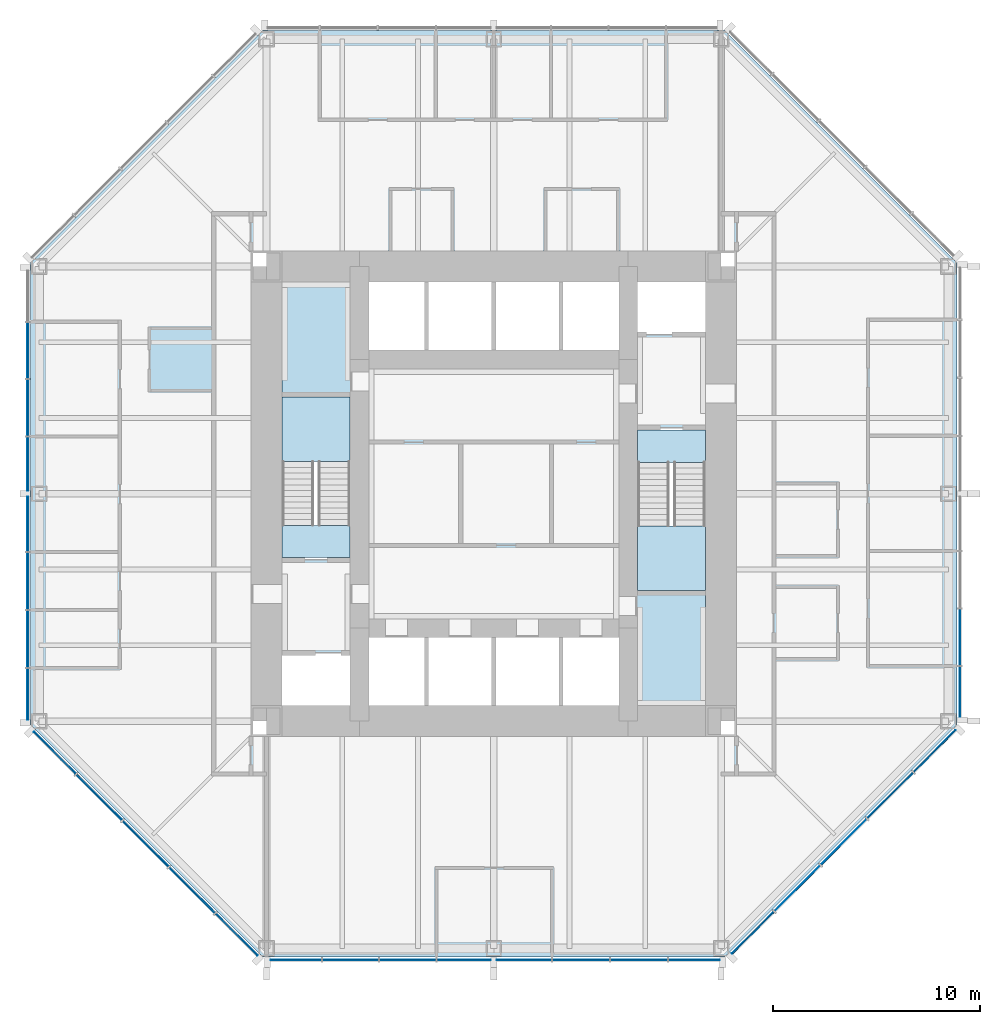
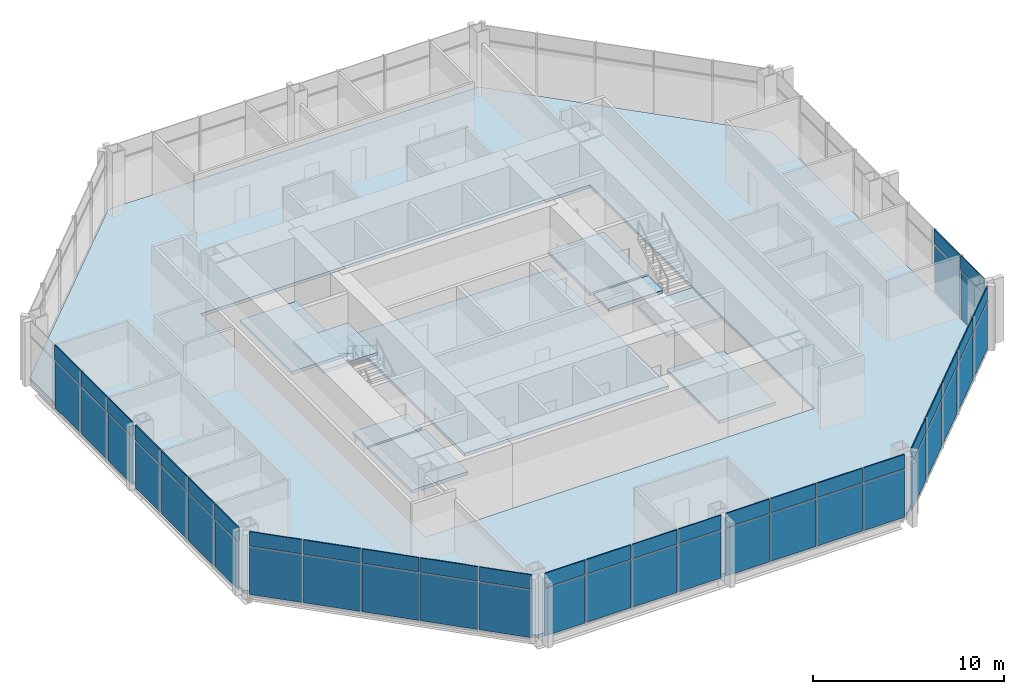
# One storey, part 7 of 12: 54 plates, 10 slabs, 7 elements without a shape of their own.
"""IFC4 building model written with IfcOpenShell, lengths in metres."""

import ifcopenshell
import ifcopenshell.guid

model = None  # the IFC model being written
_history = None  # IfcOwnerHistory: only IFC2X3 demands one
_inside = {}  # id of a spatial element -> (the spatial element, [elements in it])
_under = {}  # id of a project, library or spatial element -> (it, [spatial elements below it])
_declared = {}  # id of a project -> (the project, [libraries it declares])
_typed = {}  # id of a type object -> (the type object, [elements of that type])
_made_of = {}  # id of a material, layer set ... -> (it, [elements and type objects made of it])


def new_model(schema):
    """Start an empty IFC model of exactly this schema.

    Asked for "IFC4X3", IfcOpenShell would pick the latest addendum, in which some entities
    have other attributes; the version numbers below select the first issue.
    IFC2X3 requires an IfcOwnerHistory on every rooted entity: one is made here for all.
    """
    global model, _history
    if schema == "IFC4X3":
        model = ifcopenshell.file(schema_version=(4, 3, 0, 0))
    else:
        model = ifcopenshell.file(schema=schema)
    _inside.clear()
    _under.clear()
    _declared.clear()
    _typed.clear()
    _made_of.clear()
    _history = None
    if model.schema == "IFC2X3":
        org = make("IfcOrganization", Name="unknown")
        user = make(
            "IfcPersonAndOrganization",
            ThePerson=make("IfcPerson", FamilyName="unknown"),
            TheOrganization=org,
        )
        app = make(
            "IfcApplication",
            ApplicationDeveloper=org,
            Version="unknown",
            ApplicationFullName="unknown",
            ApplicationIdentifier="unknown",
        )
        _history = make(
            "IfcOwnerHistory",
            OwningUser=user,
            OwningApplication=app,
            ChangeAction="ADDED",
            CreationDate=0,
        )
    return model


def make(cls, **values):
    """One entity of the class cls with the attributes given. An attribute that is None is left unset."""
    return model.create_entity(
        cls, **{name: value for name, value in values.items() if value is not None}
    )


def rooted(cls, **values):
    """An entity with a GlobalId (a new one), such as an element, a storey or a relation."""
    return make(cls, GlobalId=ifcopenshell.guid.new(), OwnerHistory=_history, **values)


def si_unit(unit_type, name, prefix=None):
    """IfcSIUnit, for example si_unit("LENGTHUNIT", "METRE", prefix="MILLI")."""
    return make("IfcSIUnit", UnitType=unit_type, Prefix=prefix, Name=name)


def assignment(units):
    """IfcUnitAssignment: the units of a project."""
    return None if units is None else make("IfcUnitAssignment", Units=units)


def point(xyz):
    """IfcCartesianPoint."""
    return None if xyz is None else make("IfcCartesianPoint", Coordinates=xyz)


def direction(xyz):
    """IfcDirection."""
    return None if xyz is None else make("IfcDirection", DirectionRatios=xyz)


def frame(location, z_axis=None, x_axis=None):
    """IfcAxis2Placement3D, a coordinate frame: its origin and axes. An axis left out is left unset."""
    return make(
        "IfcAxis2Placement3D",
        Location=point(location),
        Axis=direction(z_axis),
        RefDirection=direction(x_axis),
    )


def frame_2d(location, x_axis=None):
    """IfcAxis2Placement2D, a coordinate frame in the plane: its origin and x axis."""
    return make(
        "IfcAxis2Placement2D", Location=point(location), RefDirection=direction(x_axis)
    )


def origin():
    """The frame at (0, 0, 0) with its axes left unset."""
    return frame((0.0, 0.0, 0.0))


def origin_2d():
    """The frame at (0, 0) in the plane with its x axis left unset."""
    return frame_2d((0.0, 0.0))


def place(relative_to, where):
    """IfcLocalPlacement: puts the frame where relative to a parent placement (None: the world)."""
    return make(
        "IfcLocalPlacement", PlacementRelTo=relative_to, RelativePlacement=where
    )


def context(
    kind, dimensions, precision=None, world=None, true_north=None, identifier=None
):
    """IfcGeometricRepresentationContext, for example the 3D "Model" context."""
    return make(
        "IfcGeometricRepresentationContext",
        ContextIdentifier=identifier,
        ContextType=kind,
        CoordinateSpaceDimension=dimensions,
        Precision=precision,
        WorldCoordinateSystem=world,
        TrueNorth=true_north,
    )


def subcontext(parent, identifier, kind, view, scale=None):
    """IfcGeometricRepresentationSubContext, for example "Body" below "Model"."""
    return make(
        "IfcGeometricRepresentationSubContext",
        ContextIdentifier=identifier,
        ContextType=kind,
        ParentContext=parent,
        TargetScale=scale,
        TargetView=view,
    )


def project(units=None, contexts=None):
    """IfcProject with its units and contexts."""
    return rooted(
        "IfcProject",
        Name="project",
        RepresentationContexts=contexts,
        UnitsInContext=assignment(units),
    )


def spatial(cls, under=None, at=None, **own):
    """A site, building, storey or space (cls), placed at a placement, below another one or the project."""
    s = rooted(cls, ObjectPlacement=at, **own)
    if under is not None:
        _under.setdefault(under.id(), (under, []))[1].append(s)
    return s


def polyline(points):
    """IfcPolyline through the points."""
    return make("IfcPolyline", Points=[point(p) for p in points])


def profile(cls, at=None, kind="AREA", **sizes):
    """A parametric profile (cls). Its sizes go by their IFC names, for example OverallWidth=200.0."""
    return make(cls, ProfileType=kind, Position=at, **sizes)


def rectangle(**sizes):
    """IfcRectangleProfileDef."""
    return profile("IfcRectangleProfileDef", **sizes)


def outline(outer, holes=None, kind="AREA"):
    """IfcArbitraryClosedProfileDef: a profile drawn as a closed curve; with holes, ...WithVoids."""
    if holes is None:
        return make("IfcArbitraryClosedProfileDef", ProfileType=kind, OuterCurve=outer)
    return make(
        "IfcArbitraryProfileDefWithVoids",
        ProfileType=kind,
        OuterCurve=outer,
        InnerCurves=holes,
    )


def extrude(swept, where, along, depth):
    """IfcExtrudedAreaSolid: the profile swept, set in the frame where, extruded along a direction by depth."""
    return make(
        "IfcExtrudedAreaSolid",
        SweptArea=swept,
        Position=where,
        ExtrudedDirection=direction(along),
        Depth=depth,
    )


def shape(context_of_items, identifier, shape_type, items):
    """IfcShapeRepresentation: the items that make up one representation, for example the "Body"."""
    return make(
        "IfcShapeRepresentation",
        ContextOfItems=context_of_items,
        RepresentationIdentifier=identifier,
        RepresentationType=shape_type,
        Items=items,
    )


def material(Name=None, Category=None):
    """IfcMaterial."""
    return make("IfcMaterial", Name=Name, Category=Category)


def layer(
    of_material, thickness, ventilated=None, Name=None, Category=None, Priority=None
):
    """IfcMaterialLayer: one layer of a wall or slab, of a material (None: an air gap)."""
    return make(
        "IfcMaterialLayer",
        Material=of_material,
        LayerThickness=thickness,
        IsVentilated=ventilated,
        Name=Name,
        Category=Category,
        Priority=Priority,
    )


def layer_set(layers, Name=None):
    """IfcMaterialLayerSet."""
    return make("IfcMaterialLayerSet", MaterialLayers=layers, LayerSetName=Name)


def made_of(thing, what):
    """Note that an element or type object is made of a material, layer set ...; save() writes the relation."""
    if what is not None:
        _made_of.setdefault(what.id(), (what, []))[1].append(thing)
    return thing


def type_object(cls, material=None, **own):
    """A type object (cls), such as IfcWallType, which elements share."""
    return made_of(rooted(cls, **own), material)


def element(
    cls,
    number,
    at=None,
    inside=None,
    cuts=None,
    type_object=None,
    material=None,
    context=None,
    identifier="Body",
    shape_type=None,
    held_by="IfcProductDefinitionShape",
    body=None,
    shapes=None,
    **own,
):
    """One element of the class cls, such as IfcWall. Its Tag is "e" and its number.

    at: its placement. inside: the storey or other place that contains it. cuts: it is an
    opening in that element (IfcRelVoidsElement). A single representation is given by context,
    identifier, shape_type and body (its items); several are given by shapes. held_by: the class
    of the entity that holds the representations. save() writes the other relations.
    """
    e = rooted(cls, Tag="e%d" % number, ObjectPlacement=at, **own)
    if body is not None:
        shapes = [shape(context, identifier, shape_type, body)]
    if shapes is not None:
        e.Representation = make(held_by, Representations=shapes)
    if inside is not None:
        _inside.setdefault(inside.id(), (inside, []))[1].append(e)
    if cuts is not None:
        rooted(
            "IfcRelVoidsElement", RelatingBuildingElement=cuts, RelatedOpeningElement=e
        )
    if type_object is not None:
        _typed.setdefault(type_object.id(), (type_object, []))[1].append(e)
    return made_of(e, material)


def aggregate(whole, parts):
    """IfcRelAggregates: a whole, such as a stair, and the parts it consists of."""
    return rooted("IfcRelAggregates", RelatingObject=whole, RelatedObjects=parts)


def save(model, path):
    """Write the relations noted so far, then the file.

    IfcRelAggregates (storeys below a building ...), IfcRelContainedInSpatialStructure (elements
    in a storey), IfcRelDefinesByType, IfcRelAssociatesMaterial and IfcRelDeclares: one each for
    every whole, place, type object, material and project.
    """
    for whole, parts in _under.values():
        aggregate(whole, parts)
    for where, things in _inside.values():
        rooted(
            "IfcRelContainedInSpatialStructure",
            RelatedElements=things,
            RelatingStructure=where,
        )
    for kind, things in _typed.values():
        rooted("IfcRelDefinesByType", RelatedObjects=things, RelatingType=kind)
    for what, things in _made_of.values():
        rooted("IfcRelAssociatesMaterial", RelatedObjects=things, RelatingMaterial=what)
    for by, libraries in _declared.values():
        rooted("IfcRelDeclares", RelatingContext=by, RelatedDefinitions=libraries)
    model.write(path)


model = new_model("IFC4")

# Units and contexts
model_context = context("Model", 3, precision=1e-05, world=origin(), true_north=direction((0.0, 1.0)))
body_context = subcontext(model_context, "Body", "Model", "MODEL_VIEW")
ifc_project = project(units=[si_unit("LENGTHUNIT", "METRE"), si_unit("AREAUNIT", "SQUARE_METRE"), si_unit("VOLUMEUNIT", "CUBIC_METRE"), si_unit("PLANEANGLEUNIT", "RADIAN"), si_unit("MASSUNIT", "GRAM", prefix="KILO")], contexts=[model_context])

# Site, building, storey
site_placement = place(None, origin())
site = spatial("IfcSite", under=ifc_project, at=site_placement, CompositionType="ELEMENT")
building_placement = place(site_placement, origin())
building = spatial("IfcBuilding", under=site, at=building_placement, Name="Trevanion Tower", CompositionType="ELEMENT")
storey_placement = place(building_placement, frame((0.0, 0.0, 133.60009765625)))
storey = spatial("IfcBuildingStorey", under=building, at=storey_placement, Name="L31", CompositionType="ELEMENT", Elevation=133.60009765625)

# Curtain wall, plates
ifc_material_1 = material(Name="Aluminium and glass", Category="aluminium")
curtain_wall_type = type_object("IfcCurtainWallType", Name="CW2 curtain wall", PredefinedType="USERDEFINED", material=ifc_material_1)
curtain_wall_1_placement = place(storey_placement, origin())
curtain_wall_1 = element("IfcCurtainWall", 1, at=curtain_wall_1_placement, inside=storey, type_object=curtain_wall_type, Name="CW2 L31 0", ObjectType="UNITISED CURTAIN WALL", PredefinedType="USERDEFINED")
ifc_material_2 = material(Name="Aluminium spandrel panel", Category="aluminium")
ifc_layer_1 = layer(ifc_material_2, 0.06005859375)
ifc_layer_set_1 = layer_set([ifc_layer_1], Name="CW2 spandrel panel")
plate_type_1 = type_object("IfcPlateType", Name="CW2 spandrel panel", PredefinedType="CURTAIN_PANEL", material=ifc_layer_set_1)
plate_1_placement = place(storey_placement, frame((22.550048828125, -9.579345703125, 2.997314453125), z_axis=(0.0, 0.0, 1.0), x_axis=(0.0, 1.0, 0.0)))
plate_1 = element("IfcPlate", 2, at=plate_1_placement, type_object=plate_type_1, Name="CW2 panel 1.2", PredefinedType="CURTAIN_PANEL", context=body_context, shape_type="SweptSolid", body=[
    extrude(rectangle(XDim=2.43701171875, YDim=0.06005859375, at=origin_2d()), origin(), (0.0, 0.0, 1.0), 0.91259765625),
])
plate_2_placement = place(storey_placement, frame((22.550048828125, -6.93603515625, 2.997314453125), z_axis=(0.0, 0.0, 1.0), x_axis=(0.0, 1.0, 0.0)))
plate_2 = element("IfcPlate", 3, at=plate_2_placement, type_object=plate_type_1, Name="CW2 panel 2.2", PredefinedType="CURTAIN_PANEL", context=body_context, shape_type="SweptSolid", body=[
    extrude(rectangle(XDim=2.699462890625, YDim=0.06005859375, at=origin_2d()), origin(), (0.0, 0.0, 1.0), 0.91259765625),
])

curtain_wall_2_placement = place(storey_placement, origin())
curtain_wall_2 = element("IfcCurtainWall", 4, at=curtain_wall_2_placement, inside=storey, type_object=curtain_wall_type, Name="CW2 L31 4", ObjectType="UNITISED CURTAIN WALL", PredefinedType="USERDEFINED")
plate_3_placement = place(storey_placement, frame((-22.550048828125, 6.93603515625, 2.997314453125), z_axis=(0.0, 0.0, 1.0), x_axis=(0.0, -1.0, 0.0)))
plate_3 = element("IfcPlate", 5, at=plate_3_placement, type_object=plate_type_1, Name="CW2 panel 2.2", PredefinedType="CURTAIN_PANEL", context=body_context, shape_type="SweptSolid", body=[
    extrude(rectangle(XDim=2.699462890625, YDim=0.06005859375, at=origin_2d()), origin(), (0.0, 0.0, 1.0), 0.91259765625),
])
plate_4_placement = place(storey_placement, frame((-22.550048828125, 4.16162109375, 2.997314453125), z_axis=(0.0, 0.0, 1.0), x_axis=(0.0, -1.0, 0.0)))
plate_4 = element("IfcPlate", 6, at=plate_4_placement, type_object=plate_type_1, Name="CW2 panel 3.2", PredefinedType="CURTAIN_PANEL", context=body_context, shape_type="SweptSolid", body=[
    extrude(rectangle(XDim=2.699462890625, YDim=0.06005859375, at=origin_2d()), origin(), (0.0, 0.0, 1.0), 0.91259765625),
])
plate_5_placement = place(storey_placement, frame((-22.550048828125, 1.443603515625, 2.997314453125), z_axis=(0.0, 0.0, 1.0), x_axis=(0.0, -1.0, 0.0)))
plate_5 = element("IfcPlate", 7, at=plate_5_placement, type_object=plate_type_1, Name="CW2 panel 4.2", PredefinedType="CURTAIN_PANEL", context=body_context, shape_type="SweptSolid", body=[
    extrude(rectangle(XDim=2.5869140625, YDim=0.06005859375, at=origin_2d()), origin(), (0.0, 0.0, 1.0), 0.91259765625),
])
plate_6_placement = place(storey_placement, frame((-22.550048828125, -1.459716796875, 2.997314453125), z_axis=(0.0, 0.0, 1.0), x_axis=(0.0, -1.0, 0.0)))
plate_6 = element("IfcPlate", 8, at=plate_6_placement, type_object=plate_type_1, Name="CW2 panel 5.2", PredefinedType="CURTAIN_PANEL", context=body_context, shape_type="SweptSolid", body=[
    extrude(rectangle(XDim=2.619384765625, YDim=0.06005859375, at=origin_2d()), origin(), (0.0, 0.0, 1.0), 0.91259765625),
])
plate_7_placement = place(storey_placement, frame((-22.550048828125, -4.21044921875, 2.997314453125), z_axis=(0.0, 0.0, 1.0), x_axis=(0.0, -1.0, 0.0)))
plate_7 = element("IfcPlate", 9, at=plate_7_placement, type_object=plate_type_1, Name="CW2 panel 6.2", PredefinedType="CURTAIN_PANEL", context=body_context, shape_type="SweptSolid", body=[
    extrude(rectangle(XDim=2.73193359375, YDim=0.06005859375, at=origin_2d()), origin(), (0.0, 0.0, 1.0), 0.91259765625),
])
plate_8_placement = place(storey_placement, frame((-22.550048828125, -7.017333984375, 2.997314453125), z_axis=(0.0, 0.0, 1.0), x_axis=(0.0, -1.0, 0.0)))
plate_8 = element("IfcPlate", 10, at=plate_8_placement, type_object=plate_type_1, Name="CW2 panel 7.2", PredefinedType="CURTAIN_PANEL", context=body_context, shape_type="SweptSolid", body=[
    extrude(rectangle(XDim=2.73193359375, YDim=0.06005859375, at=origin_2d()), origin(), (0.0, 0.0, 1.0), 0.91259765625),
])
plate_9_placement = place(storey_placement, frame((-22.550048828125, -9.693115234375, 2.997314453125), z_axis=(0.0, 0.0, 1.0), x_axis=(0.0, -1.0, 0.0)))
plate_9 = element("IfcPlate", 11, at=plate_9_placement, type_object=plate_type_1, Name="CW2 panel 8.2", PredefinedType="CURTAIN_PANEL", context=body_context, shape_type="SweptSolid", body=[
    extrude(rectangle(XDim=2.469482421875, YDim=0.06005859375, at=origin_2d()), origin(), (0.0, 0.0, 1.0), 0.91259765625),
])

curtain_wall_3_placement = place(storey_placement, origin())
curtain_wall_3 = element("IfcCurtainWall", 12, at=curtain_wall_3_placement, inside=storey, type_object=curtain_wall_type, Name="CW2 L31 5", ObjectType="UNITISED CURTAIN WALL", PredefinedType="USERDEFINED")
plate_10_placement = place(storey_placement, frame((-21.2421875, -12.53564453125, 2.997314453125), z_axis=(0.0, 0.0, 1.0), x_axis=(0.707106781187, -0.707106781187, 0.0)))
plate_10 = element("IfcPlate", 13, at=plate_10_placement, type_object=plate_type_1, Name="CW2 panel 1.2", PredefinedType="CURTAIN_PANEL", context=body_context, shape_type="SweptSolid", body=[
    extrude(rectangle(XDim=2.8388671875, YDim=0.06005859375, at=origin_2d()), origin(), (0.0, 0.0, 1.0), 0.91259765625),
])
plate_11_placement = place(storey_placement, frame((-19.089111328125, -14.688720703125, 2.997314453125), z_axis=(0.0, 0.0, 1.0), x_axis=(0.707106781187, -0.707106781187, 0.0)))
plate_11 = element("IfcPlate", 14, at=plate_11_placement, type_object=plate_type_1, Name="CW2 panel 2.2", PredefinedType="CURTAIN_PANEL", context=body_context, shape_type="SweptSolid", body=[
    extrude(rectangle(XDim=3.101318359375, YDim=0.06005859375, at=origin_2d()), origin(), (0.0, 0.0, 1.0), 0.91259765625),
])
plate_12_placement = place(storey_placement, frame((-16.843017578125, -16.934814453125, 2.997314453125), z_axis=(0.0, 0.0, 1.0), x_axis=(0.707106781187, -0.707106781187, 0.0)))
plate_12 = element("IfcPlate", 15, at=plate_12_placement, type_object=plate_type_1, Name="CW2 panel 3.2", PredefinedType="CURTAIN_PANEL", context=body_context, shape_type="SweptSolid", body=[
    extrude(rectangle(XDim=3.101318359375, YDim=0.06005859375, at=origin_2d()), origin(), (0.0, 0.0, 1.0), 0.91259765625),
])
plate_13_placement = place(storey_placement, frame((-14.596923828125, -19.180908203125, 2.997314453125), z_axis=(0.0, 0.0, 1.0), x_axis=(0.707106781187, -0.707106781187, 0.0)))
plate_13 = element("IfcPlate", 16, at=plate_13_placement, type_object=plate_type_1, Name="CW2 panel 4.2", PredefinedType="CURTAIN_PANEL", context=body_context, shape_type="SweptSolid", body=[
    extrude(rectangle(XDim=3.101318359375, YDim=0.06005859375, at=origin_2d()), origin(), (0.0, 0.0, 1.0), 0.91259765625),
])
plate_14_placement = place(storey_placement, frame((-12.443603515625, -21.334228515625, 2.997314453125), z_axis=(0.0, 0.0, 1.0), x_axis=(0.707106781187, -0.707106781187, 0.0)))
plate_14 = element("IfcPlate", 17, at=plate_14_placement, type_object=plate_type_1, Name="CW2 panel 5.2", PredefinedType="CURTAIN_PANEL", context=body_context, shape_type="SweptSolid", body=[
    extrude(rectangle(XDim=2.8388671875, YDim=0.06005859375, at=origin_2d()), origin(), (0.0, 0.0, 1.0), 0.91259765625),
])

curtain_wall_4_placement = place(storey_placement, origin())
curtain_wall_4 = element("IfcCurtainWall", 18, at=curtain_wall_4_placement, inside=storey, type_object=curtain_wall_type, Name="CW2 L31 6", ObjectType="UNITISED CURTAIN WALL", PredefinedType="USERDEFINED")
plate_15_placement = place(storey_placement, frame((-9.579345703125, -22.550048828125, 2.997314453125), z_axis=(0.0, 0.0, 1.0), x_axis=(1.0, 0.0, 0.0)))
plate_15 = element("IfcPlate", 19, at=plate_15_placement, type_object=plate_type_1, Name="CW2 panel 1.2", PredefinedType="CURTAIN_PANEL", context=body_context, shape_type="SweptSolid", body=[
    extrude(rectangle(XDim=2.43701171875, YDim=0.06005859375, at=origin_2d()), origin(), (0.0, 0.0, 1.0), 0.91259765625),
])
plate_16_placement = place(storey_placement, frame((-6.93603515625, -22.550048828125, 2.997314453125), z_axis=(0.0, 0.0, 1.0), x_axis=(1.0, 0.0, 0.0)))
plate_16 = element("IfcPlate", 20, at=plate_16_placement, type_object=plate_type_1, Name="CW2 panel 2.2", PredefinedType="CURTAIN_PANEL", context=body_context, shape_type="SweptSolid", body=[
    extrude(rectangle(XDim=2.699462890625, YDim=0.06005859375, at=origin_2d()), origin(), (0.0, 0.0, 1.0), 0.91259765625),
])
plate_17_placement = place(storey_placement, frame((-4.16162109375, -22.550048828125, 2.997314453125), z_axis=(0.0, 0.0, 1.0), x_axis=(1.0, 0.0, 0.0)))
plate_17 = element("IfcPlate", 21, at=plate_17_placement, type_object=plate_type_1, Name="CW2 panel 3.2", PredefinedType="CURTAIN_PANEL", context=body_context, shape_type="SweptSolid", body=[
    extrude(rectangle(XDim=2.699462890625, YDim=0.06005859375, at=origin_2d()), origin(), (0.0, 0.0, 1.0), 0.91259765625),
])
plate_18_placement = place(storey_placement, frame((-1.443603515625, -22.550048828125, 2.997314453125), z_axis=(0.0, 0.0, 1.0), x_axis=(1.0, 0.0, 0.0)))
plate_18 = element("IfcPlate", 22, at=plate_18_placement, type_object=plate_type_1, Name="CW2 panel 4.2", PredefinedType="CURTAIN_PANEL", context=body_context, shape_type="SweptSolid", body=[
    extrude(rectangle(XDim=2.5869140625, YDim=0.06005859375, at=origin_2d()), origin(), (0.0, 0.0, 1.0), 0.91259765625),
])
plate_19_placement = place(storey_placement, frame((1.459716796875, -22.550048828125, 2.997314453125), z_axis=(0.0, 0.0, 1.0), x_axis=(1.0, 0.0, 0.0)))
plate_19 = element("IfcPlate", 23, at=plate_19_placement, type_object=plate_type_1, Name="CW2 panel 5.2", PredefinedType="CURTAIN_PANEL", context=body_context, shape_type="SweptSolid", body=[
    extrude(rectangle(XDim=2.619384765625, YDim=0.06005859375, at=origin_2d()), origin(), (0.0, 0.0, 1.0), 0.91259765625),
])
plate_20_placement = place(storey_placement, frame((4.21044921875, -22.550048828125, 2.997314453125), z_axis=(0.0, 0.0, 1.0), x_axis=(1.0, 0.0, 0.0)))
plate_20 = element("IfcPlate", 24, at=plate_20_placement, type_object=plate_type_1, Name="CW2 panel 6.2", PredefinedType="CURTAIN_PANEL", context=body_context, shape_type="SweptSolid", body=[
    extrude(rectangle(XDim=2.73193359375, YDim=0.06005859375, at=origin_2d()), origin(), (0.0, 0.0, 1.0), 0.91259765625),
])
plate_21_placement = place(storey_placement, frame((7.017333984375, -22.550048828125, 2.997314453125), z_axis=(0.0, 0.0, 1.0), x_axis=(1.0, 0.0, 0.0)))
plate_21 = element("IfcPlate", 25, at=plate_21_placement, type_object=plate_type_1, Name="CW2 panel 7.2", PredefinedType="CURTAIN_PANEL", context=body_context, shape_type="SweptSolid", body=[
    extrude(rectangle(XDim=2.73193359375, YDim=0.06005859375, at=origin_2d()), origin(), (0.0, 0.0, 1.0), 0.91259765625),
])
plate_22_placement = place(storey_placement, frame((9.693115234375, -22.550048828125, 2.997314453125), z_axis=(0.0, 0.0, 1.0), x_axis=(1.0, 0.0, 0.0)))
plate_22 = element("IfcPlate", 26, at=plate_22_placement, type_object=plate_type_1, Name="CW2 panel 8.2", PredefinedType="CURTAIN_PANEL", context=body_context, shape_type="SweptSolid", body=[
    extrude(rectangle(XDim=2.469482421875, YDim=0.06005859375, at=origin_2d()), origin(), (0.0, 0.0, 1.0), 0.91259765625),
])

curtain_wall_5_placement = place(storey_placement, origin())
curtain_wall_5 = element("IfcCurtainWall", 27, at=curtain_wall_5_placement, inside=storey, type_object=curtain_wall_type, Name="CW2 L31 7", ObjectType="UNITISED CURTAIN WALL", PredefinedType="USERDEFINED")
plate_23_placement = place(storey_placement, frame((12.53564453125, -21.2421875, 2.997314453125), z_axis=(0.0, 0.0, 1.0), x_axis=(0.707106781187, 0.707106781187, 0.0)))
plate_23 = element("IfcPlate", 28, at=plate_23_placement, type_object=plate_type_1, Name="CW2 panel 1.2", PredefinedType="CURTAIN_PANEL", context=body_context, shape_type="SweptSolid", body=[
    extrude(rectangle(XDim=2.8388671875, YDim=0.06005859375, at=origin_2d()), origin(), (0.0, 0.0, 1.0), 0.91259765625),
])
plate_24_placement = place(storey_placement, frame((14.688720703125, -19.089111328125, 2.997314453125), z_axis=(0.0, 0.0, 1.0), x_axis=(0.707106781187, 0.707106781187, 0.0)))
plate_24 = element("IfcPlate", 29, at=plate_24_placement, type_object=plate_type_1, Name="CW2 panel 2.2", PredefinedType="CURTAIN_PANEL", context=body_context, shape_type="SweptSolid", body=[
    extrude(rectangle(XDim=3.101318359375, YDim=0.06005859375, at=origin_2d()), origin(), (0.0, 0.0, 1.0), 0.91259765625),
])
plate_25_placement = place(storey_placement, frame((16.934814453125, -16.843017578125, 2.997314453125), z_axis=(0.0, 0.0, 1.0), x_axis=(0.707106781187, 0.707106781187, 0.0)))
plate_25 = element("IfcPlate", 30, at=plate_25_placement, type_object=plate_type_1, Name="CW2 panel 3.2", PredefinedType="CURTAIN_PANEL", context=body_context, shape_type="SweptSolid", body=[
    extrude(rectangle(XDim=3.101318359375, YDim=0.06005859375, at=origin_2d()), origin(), (0.0, 0.0, 1.0), 0.91259765625),
])
plate_26_placement = place(storey_placement, frame((19.180908203125, -14.596923828125, 2.997314453125), z_axis=(0.0, 0.0, 1.0), x_axis=(0.707106781187, 0.707106781187, 0.0)))
plate_26 = element("IfcPlate", 31, at=plate_26_placement, type_object=plate_type_1, Name="CW2 panel 4.2", PredefinedType="CURTAIN_PANEL", context=body_context, shape_type="SweptSolid", body=[
    extrude(rectangle(XDim=3.101318359375, YDim=0.06005859375, at=origin_2d()), origin(), (0.0, 0.0, 1.0), 0.91259765625),
])
plate_27_placement = place(storey_placement, frame((21.334228515625, -12.443603515625, 2.997314453125), z_axis=(0.0, 0.0, 1.0), x_axis=(0.707106781187, 0.707106781187, 0.0)))
plate_27 = element("IfcPlate", 32, at=plate_27_placement, type_object=plate_type_1, Name="CW2 panel 5.2", PredefinedType="CURTAIN_PANEL", context=body_context, shape_type="SweptSolid", body=[
    extrude(rectangle(XDim=2.8388671875, YDim=0.06005859375, at=origin_2d()), origin(), (0.0, 0.0, 1.0), 0.91259765625),
])

# Plate
ifc_material_3 = material(Name="Insulating glass unit", Category="glass")
ifc_layer_2 = layer(ifc_material_3, 0.028076171875)
ifc_layer_set_2 = layer_set([ifc_layer_2], Name="CW2 vision panel")
plate_type_2 = type_object("IfcPlateType", Name="CW2 vision panel", PredefinedType="CURTAIN_PANEL", material=ifc_layer_set_2)
plate_28_placement = place(storey_placement, frame((22.550048828125, -9.579345703125, -0.115234375), z_axis=(0.0, 0.0, 1.0), x_axis=(0.0, 1.0, 0.0)))
plate_28 = element("IfcPlate", 33, at=plate_28_placement, type_object=plate_type_2, Name="CW2 panel 1.1", PredefinedType="CURTAIN_PANEL", context=body_context, shape_type="SweptSolid", body=[
    extrude(rectangle(XDim=2.43701171875, YDim=0.028076171875, at=origin_2d()), origin(), (0.0, 0.0, 1.0), 3.03759765625),
])

plate_29_placement = place(storey_placement, frame((22.550048828125, -6.93603515625, -0.115234375), z_axis=(0.0, 0.0, 1.0), x_axis=(0.0, 1.0, 0.0)))
plate_29 = element("IfcPlate", 34, at=plate_29_placement, type_object=plate_type_2, Name="CW2 panel 2.1", PredefinedType="CURTAIN_PANEL", context=body_context, shape_type="SweptSolid", body=[
    extrude(rectangle(XDim=2.699462890625, YDim=0.028076171875, at=origin_2d()), origin(), (0.0, 0.0, 1.0), 3.03759765625),
])

aggregate(curtain_wall_1, [plate_28, plate_1, plate_29, plate_2])

plate_30_placement = place(storey_placement, frame((-22.550048828125, 6.93603515625, -0.115234375), z_axis=(0.0, 0.0, 1.0), x_axis=(0.0, -1.0, 0.0)))
plate_30 = element("IfcPlate", 35, at=plate_30_placement, type_object=plate_type_2, Name="CW2 panel 2.1", PredefinedType="CURTAIN_PANEL", context=body_context, shape_type="SweptSolid", body=[
    extrude(rectangle(XDim=2.699462890625, YDim=0.028076171875, at=origin_2d()), origin(), (0.0, 0.0, 1.0), 3.03759765625),
])

plate_31_placement = place(storey_placement, frame((-22.550048828125, 4.16162109375, -0.115234375), z_axis=(0.0, 0.0, 1.0), x_axis=(0.0, -1.0, 0.0)))
plate_31 = element("IfcPlate", 36, at=plate_31_placement, type_object=plate_type_2, Name="CW2 panel 3.1", PredefinedType="CURTAIN_PANEL", context=body_context, shape_type="SweptSolid", body=[
    extrude(rectangle(XDim=2.699462890625, YDim=0.028076171875, at=origin_2d()), origin(), (0.0, 0.0, 1.0), 3.03759765625),
])

plate_32_placement = place(storey_placement, frame((-22.550048828125, 1.443603515625, -0.115234375), z_axis=(0.0, 0.0, 1.0), x_axis=(0.0, -1.0, 0.0)))
plate_32 = element("IfcPlate", 37, at=plate_32_placement, type_object=plate_type_2, Name="CW2 panel 4.1", PredefinedType="CURTAIN_PANEL", context=body_context, shape_type="SweptSolid", body=[
    extrude(rectangle(XDim=2.5869140625, YDim=0.028076171875, at=origin_2d()), origin(), (0.0, 0.0, 1.0), 3.03759765625),
])

plate_33_placement = place(storey_placement, frame((-22.550048828125, -1.459716796875, -0.115234375), z_axis=(0.0, 0.0, 1.0), x_axis=(0.0, -1.0, 0.0)))
plate_33 = element("IfcPlate", 38, at=plate_33_placement, type_object=plate_type_2, Name="CW2 panel 5.1", PredefinedType="CURTAIN_PANEL", context=body_context, shape_type="SweptSolid", body=[
    extrude(rectangle(XDim=2.619384765625, YDim=0.028076171875, at=origin_2d()), origin(), (0.0, 0.0, 1.0), 3.03759765625),
])

plate_34_placement = place(storey_placement, frame((-22.550048828125, -4.21044921875, -0.115234375), z_axis=(0.0, 0.0, 1.0), x_axis=(0.0, -1.0, 0.0)))
plate_34 = element("IfcPlate", 39, at=plate_34_placement, type_object=plate_type_2, Name="CW2 panel 6.1", PredefinedType="CURTAIN_PANEL", context=body_context, shape_type="SweptSolid", body=[
    extrude(rectangle(XDim=2.73193359375, YDim=0.028076171875, at=origin_2d()), origin(), (0.0, 0.0, 1.0), 3.03759765625),
])

plate_35_placement = place(storey_placement, frame((-22.550048828125, -7.017333984375, -0.115234375), z_axis=(0.0, 0.0, 1.0), x_axis=(0.0, -1.0, 0.0)))
plate_35 = element("IfcPlate", 40, at=plate_35_placement, type_object=plate_type_2, Name="CW2 panel 7.1", PredefinedType="CURTAIN_PANEL", context=body_context, shape_type="SweptSolid", body=[
    extrude(rectangle(XDim=2.73193359375, YDim=0.028076171875, at=origin_2d()), origin(), (0.0, 0.0, 1.0), 3.03759765625),
])

plate_36_placement = place(storey_placement, frame((-22.550048828125, -9.693115234375, -0.115234375), z_axis=(0.0, 0.0, 1.0), x_axis=(0.0, -1.0, 0.0)))
plate_36 = element("IfcPlate", 41, at=plate_36_placement, type_object=plate_type_2, Name="CW2 panel 8.1", PredefinedType="CURTAIN_PANEL", context=body_context, shape_type="SweptSolid", body=[
    extrude(rectangle(XDim=2.469482421875, YDim=0.028076171875, at=origin_2d()), origin(), (0.0, 0.0, 1.0), 3.03759765625),
])

aggregate(curtain_wall_2, [plate_30, plate_3, plate_31, plate_4, plate_32, plate_5, plate_33, plate_6, plate_34, plate_7, plate_35, plate_8, plate_36, plate_9])

plate_37_placement = place(storey_placement, frame((-21.2421875, -12.53564453125, -0.115234375), z_axis=(0.0, 0.0, 1.0), x_axis=(0.707106781187, -0.707106781187, 0.0)))
plate_37 = element("IfcPlate", 42, at=plate_37_placement, type_object=plate_type_2, Name="CW2 panel 1.1", PredefinedType="CURTAIN_PANEL", context=body_context, shape_type="SweptSolid", body=[
    extrude(rectangle(XDim=2.8388671875, YDim=0.028076171875, at=origin_2d()), origin(), (0.0, 0.0, 1.0), 3.03759765625),
])

plate_38_placement = place(storey_placement, frame((-19.089111328125, -14.688720703125, -0.115234375), z_axis=(0.0, 0.0, 1.0), x_axis=(0.707106781187, -0.707106781187, 0.0)))
plate_38 = element("IfcPlate", 43, at=plate_38_placement, type_object=plate_type_2, Name="CW2 panel 2.1", PredefinedType="CURTAIN_PANEL", context=body_context, shape_type="SweptSolid", body=[
    extrude(rectangle(XDim=3.101318359375, YDim=0.028076171875, at=origin_2d()), origin(), (0.0, 0.0, 1.0), 3.03759765625),
])

plate_39_placement = place(storey_placement, frame((-16.843017578125, -16.934814453125, -0.115234375), z_axis=(0.0, 0.0, 1.0), x_axis=(0.707106781187, -0.707106781187, 0.0)))
plate_39 = element("IfcPlate", 44, at=plate_39_placement, type_object=plate_type_2, Name="CW2 panel 3.1", PredefinedType="CURTAIN_PANEL", context=body_context, shape_type="SweptSolid", body=[
    extrude(rectangle(XDim=3.101318359375, YDim=0.028076171875, at=origin_2d()), origin(), (0.0, 0.0, 1.0), 3.03759765625),
])

plate_40_placement = place(storey_placement, frame((-14.596923828125, -19.180908203125, -0.115234375), z_axis=(0.0, 0.0, 1.0), x_axis=(0.707106781187, -0.707106781187, 0.0)))
plate_40 = element("IfcPlate", 45, at=plate_40_placement, type_object=plate_type_2, Name="CW2 panel 4.1", PredefinedType="CURTAIN_PANEL", context=body_context, shape_type="SweptSolid", body=[
    extrude(rectangle(XDim=3.101318359375, YDim=0.028076171875, at=origin_2d()), origin(), (0.0, 0.0, 1.0), 3.03759765625),
])

plate_41_placement = place(storey_placement, frame((-12.443603515625, -21.334228515625, -0.115234375), z_axis=(0.0, 0.0, 1.0), x_axis=(0.707106781187, -0.707106781187, 0.0)))
plate_41 = element("IfcPlate", 46, at=plate_41_placement, type_object=plate_type_2, Name="CW2 panel 5.1", PredefinedType="CURTAIN_PANEL", context=body_context, shape_type="SweptSolid", body=[
    extrude(rectangle(XDim=2.8388671875, YDim=0.028076171875, at=origin_2d()), origin(), (0.0, 0.0, 1.0), 3.03759765625),
])

aggregate(curtain_wall_3, [plate_37, plate_10, plate_38, plate_11, plate_39, plate_12, plate_40, plate_13, plate_41, plate_14])

plate_42_placement = place(storey_placement, frame((-9.579345703125, -22.550048828125, -0.115234375), z_axis=(0.0, 0.0, 1.0), x_axis=(1.0, 0.0, 0.0)))
plate_42 = element("IfcPlate", 47, at=plate_42_placement, type_object=plate_type_2, Name="CW2 panel 1.1", PredefinedType="CURTAIN_PANEL", context=body_context, shape_type="SweptSolid", body=[
    extrude(rectangle(XDim=2.43701171875, YDim=0.028076171875, at=origin_2d()), origin(), (0.0, 0.0, 1.0), 3.03759765625),
])

plate_43_placement = place(storey_placement, frame((-6.93603515625, -22.550048828125, -0.115234375), z_axis=(0.0, 0.0, 1.0), x_axis=(1.0, 0.0, 0.0)))
plate_43 = element("IfcPlate", 48, at=plate_43_placement, type_object=plate_type_2, Name="CW2 panel 2.1", PredefinedType="CURTAIN_PANEL", context=body_context, shape_type="SweptSolid", body=[
    extrude(rectangle(XDim=2.699462890625, YDim=0.028076171875, at=origin_2d()), origin(), (0.0, 0.0, 1.0), 3.03759765625),
])

plate_44_placement = place(storey_placement, frame((-4.16162109375, -22.550048828125, -0.115234375), z_axis=(0.0, 0.0, 1.0), x_axis=(1.0, 0.0, 0.0)))
plate_44 = element("IfcPlate", 49, at=plate_44_placement, type_object=plate_type_2, Name="CW2 panel 3.1", PredefinedType="CURTAIN_PANEL", context=body_context, shape_type="SweptSolid", body=[
    extrude(rectangle(XDim=2.699462890625, YDim=0.028076171875, at=origin_2d()), origin(), (0.0, 0.0, 1.0), 3.03759765625),
])

plate_45_placement = place(storey_placement, frame((-1.443603515625, -22.550048828125, -0.115234375), z_axis=(0.0, 0.0, 1.0), x_axis=(1.0, 0.0, 0.0)))
plate_45 = element("IfcPlate", 50, at=plate_45_placement, type_object=plate_type_2, Name="CW2 panel 4.1", PredefinedType="CURTAIN_PANEL", context=body_context, shape_type="SweptSolid", body=[
    extrude(rectangle(XDim=2.5869140625, YDim=0.028076171875, at=origin_2d()), origin(), (0.0, 0.0, 1.0), 3.03759765625),
])

plate_46_placement = place(storey_placement, frame((1.459716796875, -22.550048828125, -0.115234375), z_axis=(0.0, 0.0, 1.0), x_axis=(1.0, 0.0, 0.0)))
plate_46 = element("IfcPlate", 51, at=plate_46_placement, type_object=plate_type_2, Name="CW2 panel 5.1", PredefinedType="CURTAIN_PANEL", context=body_context, shape_type="SweptSolid", body=[
    extrude(rectangle(XDim=2.619384765625, YDim=0.028076171875, at=origin_2d()), origin(), (0.0, 0.0, 1.0), 3.03759765625),
])

plate_47_placement = place(storey_placement, frame((4.21044921875, -22.550048828125, -0.115234375), z_axis=(0.0, 0.0, 1.0), x_axis=(1.0, 0.0, 0.0)))
plate_47 = element("IfcPlate", 52, at=plate_47_placement, type_object=plate_type_2, Name="CW2 panel 6.1", PredefinedType="CURTAIN_PANEL", context=body_context, shape_type="SweptSolid", body=[
    extrude(rectangle(XDim=2.73193359375, YDim=0.028076171875, at=origin_2d()), origin(), (0.0, 0.0, 1.0), 3.03759765625),
])

plate_48_placement = place(storey_placement, frame((7.017333984375, -22.550048828125, -0.115234375), z_axis=(0.0, 0.0, 1.0), x_axis=(1.0, 0.0, 0.0)))
plate_48 = element("IfcPlate", 53, at=plate_48_placement, type_object=plate_type_2, Name="CW2 panel 7.1", PredefinedType="CURTAIN_PANEL", context=body_context, shape_type="SweptSolid", body=[
    extrude(rectangle(XDim=2.73193359375, YDim=0.028076171875, at=origin_2d()), origin(), (0.0, 0.0, 1.0), 3.03759765625),
])

plate_49_placement = place(storey_placement, frame((9.693115234375, -22.550048828125, -0.115234375), z_axis=(0.0, 0.0, 1.0), x_axis=(1.0, 0.0, 0.0)))
plate_49 = element("IfcPlate", 54, at=plate_49_placement, type_object=plate_type_2, Name="CW2 panel 8.1", PredefinedType="CURTAIN_PANEL", context=body_context, shape_type="SweptSolid", body=[
    extrude(rectangle(XDim=2.469482421875, YDim=0.028076171875, at=origin_2d()), origin(), (0.0, 0.0, 1.0), 3.03759765625),
])

aggregate(curtain_wall_4, [plate_42, plate_15, plate_43, plate_16, plate_44, plate_17, plate_45, plate_18, plate_46, plate_19, plate_47, plate_20, plate_48, plate_21, plate_49, plate_22])

plate_50_placement = place(storey_placement, frame((12.53564453125, -21.2421875, -0.115234375), z_axis=(0.0, 0.0, 1.0), x_axis=(0.707106781187, 0.707106781187, 0.0)))
plate_50 = element("IfcPlate", 55, at=plate_50_placement, type_object=plate_type_2, Name="CW2 panel 1.1", PredefinedType="CURTAIN_PANEL", context=body_context, shape_type="SweptSolid", body=[
    extrude(rectangle(XDim=2.8388671875, YDim=0.028076171875, at=origin_2d()), origin(), (0.0, 0.0, 1.0), 3.03759765625),
])

plate_51_placement = place(storey_placement, frame((14.688720703125, -19.089111328125, -0.115234375), z_axis=(0.0, 0.0, 1.0), x_axis=(0.707106781187, 0.707106781187, 0.0)))
plate_51 = element("IfcPlate", 56, at=plate_51_placement, type_object=plate_type_2, Name="CW2 panel 2.1", PredefinedType="CURTAIN_PANEL", context=body_context, shape_type="SweptSolid", body=[
    extrude(rectangle(XDim=3.101318359375, YDim=0.028076171875, at=origin_2d()), origin(), (0.0, 0.0, 1.0), 3.03759765625),
])

plate_52_placement = place(storey_placement, frame((16.934814453125, -16.843017578125, -0.115234375), z_axis=(0.0, 0.0, 1.0), x_axis=(0.707106781187, 0.707106781187, 0.0)))
plate_52 = element("IfcPlate", 57, at=plate_52_placement, type_object=plate_type_2, Name="CW2 panel 3.1", PredefinedType="CURTAIN_PANEL", context=body_context, shape_type="SweptSolid", body=[
    extrude(rectangle(XDim=3.101318359375, YDim=0.028076171875, at=origin_2d()), origin(), (0.0, 0.0, 1.0), 3.03759765625),
])

plate_53_placement = place(storey_placement, frame((19.180908203125, -14.596923828125, -0.115234375), z_axis=(0.0, 0.0, 1.0), x_axis=(0.707106781187, 0.707106781187, 0.0)))
plate_53 = element("IfcPlate", 58, at=plate_53_placement, type_object=plate_type_2, Name="CW2 panel 4.1", PredefinedType="CURTAIN_PANEL", context=body_context, shape_type="SweptSolid", body=[
    extrude(rectangle(XDim=3.101318359375, YDim=0.028076171875, at=origin_2d()), origin(), (0.0, 0.0, 1.0), 3.03759765625),
])

plate_54_placement = place(storey_placement, frame((21.334228515625, -12.443603515625, -0.115234375), z_axis=(0.0, 0.0, 1.0), x_axis=(0.707106781187, 0.707106781187, 0.0)))
plate_54 = element("IfcPlate", 59, at=plate_54_placement, type_object=plate_type_2, Name="CW2 panel 5.1", PredefinedType="CURTAIN_PANEL", context=body_context, shape_type="SweptSolid", body=[
    extrude(rectangle(XDim=2.8388671875, YDim=0.028076171875, at=origin_2d()), origin(), (0.0, 0.0, 1.0), 3.03759765625),
])

aggregate(curtain_wall_5, [plate_50, plate_23, plate_51, plate_24, plate_52, plate_25, plate_53, plate_26, plate_54, plate_27])

# Slabs
ifc_material_4 = material(Name="Concrete 5,000 psi on composite metal deck", Category="concrete")
ifc_layer_3 = layer(ifc_material_4, 0.18994140625)
ifc_layer_set_3 = layer_set([ifc_layer_3], Name="SL1 composite floor 190")
slab_type_1 = type_object("IfcSlabType", Name="SL1 composite floor 190", PredefinedType="FLOOR", material=ifc_layer_set_3)
slab_1_placement = place(storey_placement, frame((0.0, 0.0, -0.190185546875)))
element("IfcSlab", 60, at=slab_1_placement, inside=storey, type_object=slab_type_1, Name="SL1 L31 floor", PredefinedType="FLOOR", context=body_context, shape_type="SweptSolid", body=[
    extrude(outline(polyline([(22.419921875, -11.174072265625), (22.419921875, 11.174072265625), (11.174072265625, 22.419921875), (-11.174072265625, 22.419921875), (-22.419921875, 11.174072265625), (-22.419921875, -11.174072265625), (-11.174072265625, -22.419921875), (11.174072265625, -22.419921875), (22.419921875, -11.174072265625)]), holes=[polyline([(11.75, -11.75), (11.75, 11.75), (-11.75, 11.75), (-11.75, -11.75), (11.75, -11.75)])]), origin(), (0.0, 0.0, 1.0), 0.190185546875),
])
ifc_material_5 = material(Name="Concrete 5,000 psi", Category="concrete")
ifc_layer_4 = layer(ifc_material_5, 0.199951171875)
ifc_layer_set_4 = layer_set([ifc_layer_4], Name="SL2 core floor 200")
slab_type_2 = type_object("IfcSlabType", Name="SL2 core floor 200", PredefinedType="FLOOR", material=ifc_layer_set_4)
slab_2_placement = place(storey_placement, frame((0.0, 0.0, -0.2001953125)))
element("IfcSlab", 61, at=slab_2_placement, inside=storey, type_object=slab_type_2, Name="SL2 L31 core floor 1", PredefinedType="FLOOR", context=body_context, shape_type="SweptSolid", body=[
    extrude(outline(polyline([(10.25, -4.804931640625), (10.25, -10.25), (6.830078125, -10.25), (6.830078125, -4.804931640625), (10.25, -4.804931640625)])), origin(), (0.0, 0.0, 1.0), 0.2001953125),
])
slab_3_placement = place(storey_placement, frame((0.0, 0.0, -0.2001953125)))
element("IfcSlab", 62, at=slab_3_placement, inside=storey, type_object=slab_type_2, Name="SL2 L31 core floor 2", PredefinedType="FLOOR", context=body_context, shape_type="SweptSolid", body=[
    extrude(outline(polyline([(-6.830078125, -3.205078125), (-6.830078125, -7.695068359375), (-10.25, -7.695068359375), (-10.25, -3.205078125), (-6.830078125, -3.205078125)])), origin(), (0.0, 0.0, 1.0), 0.2001953125),
])
slab_4_placement = place(storey_placement, frame((0.0, 0.0, -0.2001953125)))
element("IfcSlab", 63, at=slab_4_placement, inside=storey, type_object=slab_type_2, Name="SL2 L31 core floor 3", PredefinedType="FLOOR", context=body_context, shape_type="SweptSolid", body=[
    extrude(outline(polyline([(6.169921875, -6.169921875), (-6.169921875, -6.169921875), (-6.169921875, 6.169921875), (6.169921875, 6.169921875), (6.169921875, -6.169921875)])), origin(), (0.0, 0.0, 1.0), 0.2001953125),
])
slab_5_placement = place(storey_placement, frame((0.0, 0.0, -0.2001953125)))
element("IfcSlab", 64, at=slab_5_placement, inside=storey, type_object=slab_type_2, Name="SL2 L31 core floor 4", PredefinedType="FLOOR", context=body_context, shape_type="SweptSolid", body=[
    extrude(outline(polyline([(6.830078125, 3.205078125), (6.830078125, 7.695068359375), (10.25, 7.695068359375), (10.25, 3.205078125), (6.830078125, 3.205078125)])), origin(), (0.0, 0.0, 1.0), 0.2001953125),
])
slab_6_placement = place(storey_placement, frame((0.0, 0.0, -0.2001953125)))
element("IfcSlab", 65, at=slab_6_placement, inside=storey, type_object=slab_type_2, Name="SL2 L31 core floor 5", PredefinedType="FLOOR", context=body_context, shape_type="SweptSolid", body=[
    extrude(outline(polyline([(-6.830078125, 4.804931640625), (-10.25, 4.804931640625), (-10.25, 10.25), (-6.830078125, 10.25), (-6.830078125, 4.804931640625)])), origin(), (0.0, 0.0, 1.0), 0.2001953125),
])

# Stair, slabs
ifc_material_6 = material(Name="Concrete 5,000 psi on steel stringers", Category="concrete")
stair_type = type_object("IfcStairType", Name="ST stair", PredefinedType="HALF_TURN_STAIR", material=ifc_material_6)
stair_1_placement = place(storey_placement, origin())
stair_1 = element("IfcStair", 66, at=stair_1_placement, inside=storey, type_object=stair_type, Name="ST1 L31", PredefinedType="HALF_TURN_STAIR")
ifc_material_7 = material(Name="Concrete 5,000 psi in steel pan", Category="concrete")
ifc_layer_5 = layer(ifc_material_7, 0.199951171875)
ifc_layer_set_5 = layer_set([ifc_layer_5], Name="STL stair landing 200")
slab_type_3 = type_object("IfcSlabType", Name="STL stair landing 200", PredefinedType="LANDING", material=ifc_layer_set_5)
slab_7_placement = place(storey_placement, frame((0.0, 0.0, -0.2001953125)))
slab_7 = element("IfcSlab", 67, at=slab_7_placement, type_object=slab_type_3, Name="ST1 landing 1", PredefinedType="LANDING", context=body_context, shape_type="SweptSolid", body=[
    extrude(outline(polyline([(6.949951171875, 1.52490234375), (10.25, 1.52490234375), (10.25, 3.074951171875), (6.949951171875, 3.074951171875), (6.949951171875, 1.52490234375)])), origin(), (0.0, 0.0, 1.0), 0.2001953125),
])
slab_8_placement = place(storey_placement, frame((0.0, 0.0, 1.849853515625)))
slab_8 = element("IfcSlab", 68, at=slab_8_placement, type_object=slab_type_3, Name="ST1 landing 2", PredefinedType="LANDING", context=body_context, shape_type="SweptSolid", body=[
    extrude(outline(polyline([(6.949951171875, -4.675048828125), (10.25, -4.675048828125), (10.25, -1.554931640625), (6.949951171875, -1.554931640625), (6.949951171875, -4.675048828125)])), origin(), (0.0, 0.0, 1.0), 0.199951171875),
])
aggregate(stair_1, [slab_7, slab_8])

stair_2_placement = place(storey_placement, origin())
stair_2 = element("IfcStair", 69, at=stair_2_placement, inside=storey, type_object=stair_type, Name="ST2 L31", PredefinedType="HALF_TURN_STAIR")
slab_9_placement = place(storey_placement, frame((0.0, 0.0, -0.2001953125)))
slab_9 = element("IfcSlab", 70, at=slab_9_placement, type_object=slab_type_3, Name="ST2 landing 1", PredefinedType="LANDING", context=body_context, shape_type="SweptSolid", body=[
    extrude(outline(polyline([(-6.949951171875, -1.52490234375), (-10.25, -1.52490234375), (-10.25, -3.074951171875), (-6.949951171875, -3.074951171875), (-6.949951171875, -1.52490234375)])), origin(), (0.0, 0.0, 1.0), 0.2001953125),
])
slab_10_placement = place(storey_placement, frame((0.0, 0.0, 1.849853515625)))
slab_10 = element("IfcSlab", 71, at=slab_10_placement, type_object=slab_type_3, Name="ST2 landing 2", PredefinedType="LANDING", context=body_context, shape_type="SweptSolid", body=[
    extrude(outline(polyline([(-6.949951171875, 4.675048828125), (-10.25, 4.675048828125), (-10.25, 1.554931640625), (-6.949951171875, 1.554931640625), (-6.949951171875, 4.675048828125)])), origin(), (0.0, 0.0, 1.0), 0.199951171875),
])
aggregate(stair_2, [slab_9, slab_10])

save(model, "model.ifc")
